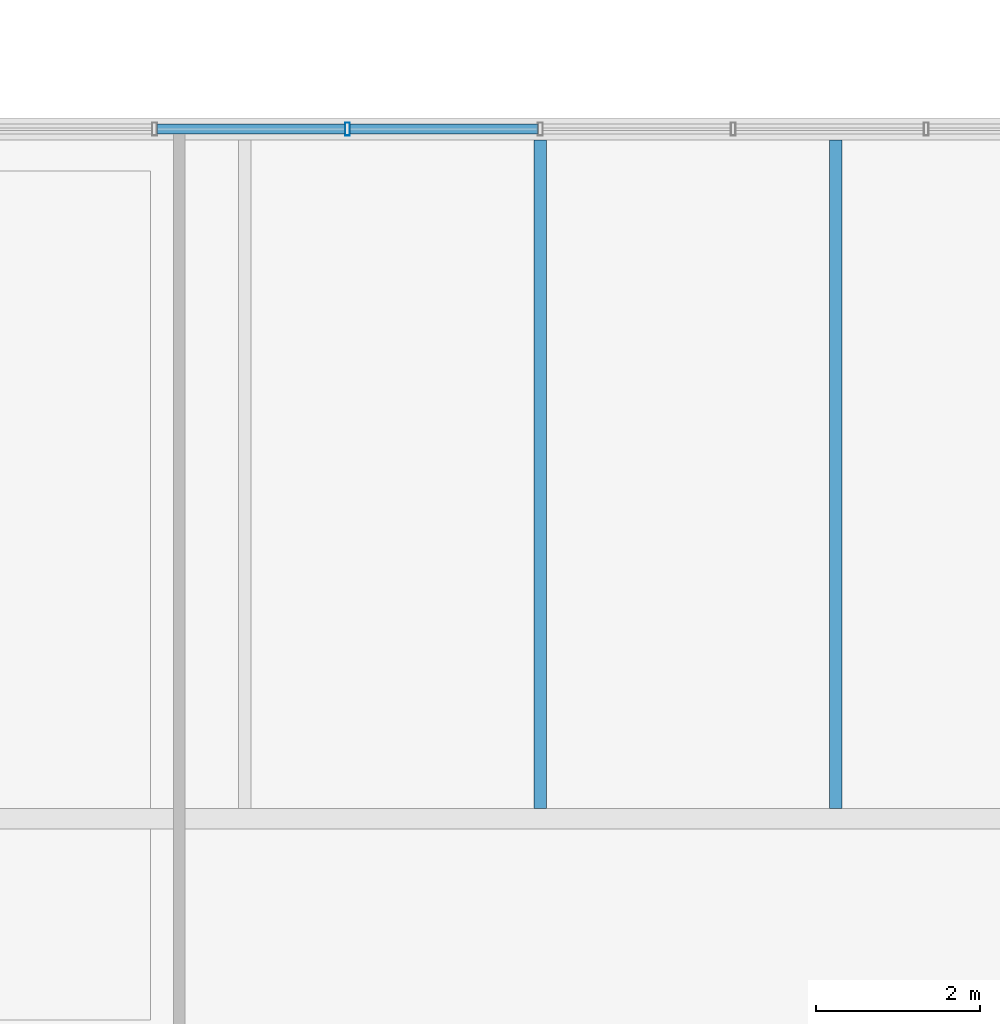
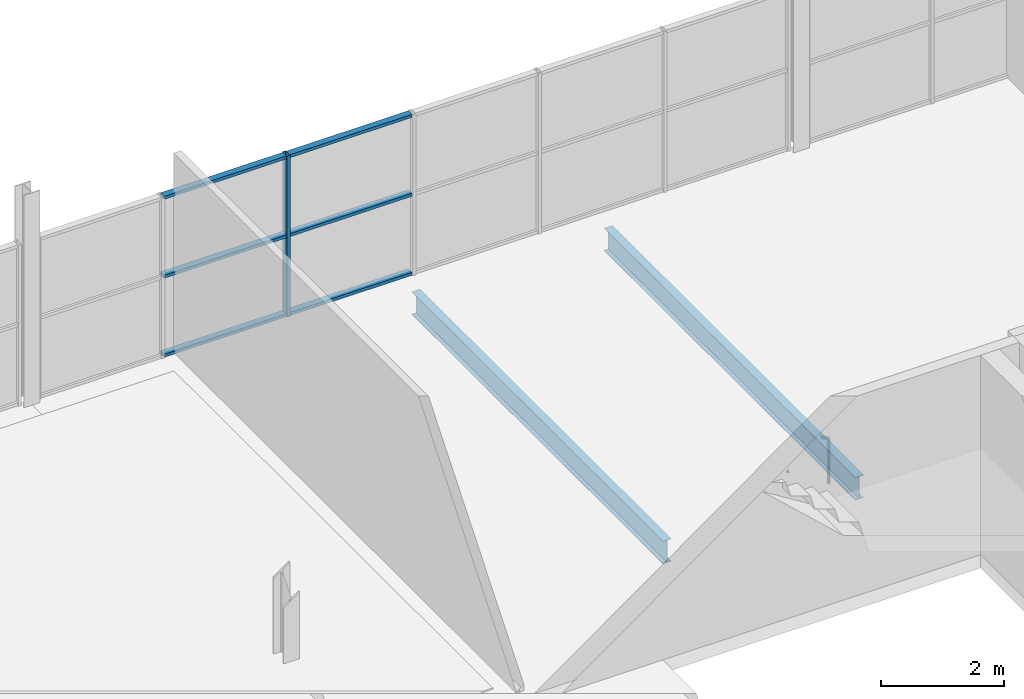
# One storey, part 52 of 93: 7 members, 2 beams, 1 element without a shape of its own.
"""IFC4 building model written with IfcOpenShell, lengths in metres."""

from ifc_helpers import new_model, si_unit, direction, frame, origin, origin_2d, place, context, subcontext, project, spatial, hollow_rectangle, i_section, extrude, material, material_profile, profile_set, type_object, element, aggregate, save


model = new_model("IFC4")

# Units and contexts
model_context = context("Model", 3, precision=1e-05, world=origin(), true_north=direction((0.0, 1.0)))
body_context = subcontext(model_context, "Body", "Model", "MODEL_VIEW")
ifc_project = project(units=[si_unit("LENGTHUNIT", "METRE"), si_unit("AREAUNIT", "SQUARE_METRE"), si_unit("VOLUMEUNIT", "CUBIC_METRE"), si_unit("PLANEANGLEUNIT", "RADIAN"), si_unit("MASSUNIT", "GRAM", prefix="KILO"), si_unit("THERMODYNAMICTEMPERATUREUNIT", "KELVIN")], contexts=[model_context])

# Site, building, storey
site_placement = place(None, origin())
site = spatial("IfcSite", under=ifc_project, at=site_placement, CompositionType="ELEMENT")
building_placement = place(site_placement, origin())
building = spatial("IfcBuilding", under=site, at=building_placement, Name="Nduvali Passage Aquatics Centre", CompositionType="ELEMENT")
storey_placement = place(building_placement, frame((0.0, 0.0, 9.0)))
storey = spatial("IfcBuildingStorey", under=building, at=storey_placement, Name="L02", CompositionType="ELEMENT", Elevation=9.0)

# Curtain wall, members
ifc_material_1 = material(Name="Aluminium EN AW-6063 T6", Category="aluminium")
curtain_wall_type = type_object("IfcCurtainWallType", Name="ENV-CW-WELL", PredefinedType="NOTDEFINED", material=ifc_material_1)
curtain_wall_placement = place(storey_placement, origin())
curtain_wall = element("IfcCurtainWall", 1, at=curtain_wall_placement, inside=storey, type_object=curtain_wall_type, Name="L02 North Avenue Clinic CW 104", PredefinedType="NOTDEFINED")
ifc_material_profile_1 = material_profile(ifc_material_1, hollow_rectangle(XDim=0.06005859375, YDim=0.159912109375, WallThickness=0.00390625, at=origin_2d()), Name="ALU MULLION 60x160x4")
ifc_profile_set_1 = profile_set([ifc_material_profile_1], Name="Aluminium EN AW-6063 T6")
member_type_1 = type_object("IfcMemberType", Name="ENV-MEM-MUL60", PredefinedType="MULLION", material=ifc_profile_set_1)
member_1_placement = place(storey_placement, frame((73.25, 117.60009765625, 0.0), z_axis=(0.0, 0.0, 1.0), x_axis=(1.0, 0.0, 0.0)))
member_1 = element("IfcMember", 2, at=member_1_placement, type_object=member_type_1, Name="North Avenue Clinic CW Mullion 3", PredefinedType="MULLION", context=body_context, shape_type="SweptSolid", body=[
    extrude(hollow_rectangle(XDim=0.06005859375, YDim=0.159912109375, WallThickness=0.00390625, at=origin_2d()), origin(), (0.0, 0.0, 1.0), 3.183837890625),
])
ifc_material_profile_2 = material_profile(ifc_material_1, hollow_rectangle(XDim=0.1201171875, YDim=0.06005859375, WallThickness=0.00390625, at=origin_2d()), Name="ALU TRANSOM 120x60x4")
ifc_profile_set_2 = profile_set([ifc_material_profile_2], Name="Aluminium EN AW-6063 T6")
member_type_2 = type_object("IfcMemberType", Name="ENV-MEM-TRN60", PredefinedType="USERDEFINED", material=ifc_profile_set_2)
member_2_placement = place(storey_placement, frame((70.929931640625, 117.60009765625, 0.030029296875), z_axis=(1.0, 0.0, 0.0), x_axis=(0.0, 1.0, 0.0)))
member_2 = element("IfcMember", 3, at=member_2_placement, type_object=member_type_2, Name="North Avenue Clinic CW Transom B2-R0", ObjectType="TRANSOM", PredefinedType="USERDEFINED", context=body_context, shape_type="SweptSolid", body=[
    extrude(hollow_rectangle(XDim=0.1201171875, YDim=0.06005859375, WallThickness=0.00390625, at=origin_2d()), origin(), (0.0, 0.0, 1.0), 2.2900390625),
])
member_3_placement = place(storey_placement, frame((70.929931640625, 117.60009765625, 1.591796875), z_axis=(1.0, 0.0, 0.0), x_axis=(0.0, 1.0, 0.0)))
member_3 = element("IfcMember", 4, at=member_3_placement, type_object=member_type_2, Name="North Avenue Clinic CW Transom B2-R1", ObjectType="TRANSOM", PredefinedType="USERDEFINED", context=body_context, shape_type="SweptSolid", body=[
    extrude(hollow_rectangle(XDim=0.1201171875, YDim=0.06005859375, WallThickness=0.00390625, at=origin_2d()), origin(), (0.0, 0.0, 1.0), 2.2900390625),
])
member_4_placement = place(storey_placement, frame((70.929931640625, 117.60009765625, 3.15380859375), z_axis=(1.0, 0.0, 0.0), x_axis=(0.0, 1.0, 0.0)))
member_4 = element("IfcMember", 5, at=member_4_placement, type_object=member_type_2, Name="North Avenue Clinic CW Transom B2-R2", ObjectType="TRANSOM", PredefinedType="USERDEFINED", context=body_context, shape_type="SweptSolid", body=[
    extrude(hollow_rectangle(XDim=0.1201171875, YDim=0.06005859375, WallThickness=0.00390625, at=origin_2d()), origin(), (0.0, 0.0, 1.0), 2.2900390625),
])
member_5_placement = place(storey_placement, frame((73.280029296875, 117.60009765625, 0.030029296875), z_axis=(1.0, 0.0, 0.0), x_axis=(0.0, 1.0, 0.0)))
member_5 = element("IfcMember", 6, at=member_5_placement, type_object=member_type_2, Name="North Avenue Clinic CW Transom B3-R0", ObjectType="TRANSOM", PredefinedType="USERDEFINED", context=body_context, shape_type="SweptSolid", body=[
    extrude(hollow_rectangle(XDim=0.1201171875, YDim=0.06005859375, WallThickness=0.00390625, at=origin_2d()), origin(), (0.0, 0.0, 1.0), 2.2900390625),
])
member_6_placement = place(storey_placement, frame((73.280029296875, 117.60009765625, 1.591796875), z_axis=(1.0, 0.0, 0.0), x_axis=(0.0, 1.0, 0.0)))
member_6 = element("IfcMember", 7, at=member_6_placement, type_object=member_type_2, Name="North Avenue Clinic CW Transom B3-R1", ObjectType="TRANSOM", PredefinedType="USERDEFINED", context=body_context, shape_type="SweptSolid", body=[
    extrude(hollow_rectangle(XDim=0.1201171875, YDim=0.06005859375, WallThickness=0.00390625, at=origin_2d()), origin(), (0.0, 0.0, 1.0), 2.2900390625),
])
member_7_placement = place(storey_placement, frame((73.280029296875, 117.60009765625, 3.15380859375), z_axis=(1.0, 0.0, 0.0), x_axis=(0.0, 1.0, 0.0)))
member_7 = element("IfcMember", 8, at=member_7_placement, type_object=member_type_2, Name="North Avenue Clinic CW Transom B3-R2", ObjectType="TRANSOM", PredefinedType="USERDEFINED", context=body_context, shape_type="SweptSolid", body=[
    extrude(hollow_rectangle(XDim=0.1201171875, YDim=0.06005859375, WallThickness=0.00390625, at=origin_2d()), origin(), (0.0, 0.0, 1.0), 2.2900390625),
])
aggregate(curtain_wall, [member_1, member_2, member_3, member_4, member_5, member_6, member_7])

# Beams
ifc_material_2 = material(Name="Steel S355", Category="steel")
ifc_material_profile_3 = material_profile(ifc_material_2, i_section(OverallWidth=0.15283203125, OverallDepth=0.45458984375, WebThickness=0.008056640625, FlangeThickness=0.01318359375, FilletRadius=0.01025390625, at=origin_2d()), Name="UKB 457x152x60")
ifc_profile_set_3 = profile_set([ifc_material_profile_3], Name="Steel S355")
beam_type = type_object("IfcBeamType", Name="STR-JST-UKB457L", PredefinedType="JOIST", material=ifc_profile_set_3)
for number, where, z_axis, x_axis, name in (
    (9, (75.60009765625, 109.326904296875, -0.4912109375), (0.0, 1.0, 0.0), (-1.0, 0.0, 0.0), "L02 Secondary Joist J1A-1190"),
    (10, (79.199951171875, 109.326904296875, -0.4912109375), (0.0, 1.0, 0.0), (-1.0, 0.0, 0.0), "L02 Secondary Joist J1A-1191"),
):
    element("IfcBeam", number, at=place(storey_placement, frame(where, z_axis=z_axis, x_axis=x_axis)), inside=storey, type_object=beam_type, Name=name, PredefinedType="JOIST", context=body_context, shape_type="SweptSolid", body=[
        extrude(i_section(OverallWidth=0.15283203125, OverallDepth=0.45458984375, WebThickness=0.008056640625, FlangeThickness=0.01318359375, FilletRadius=0.01025390625, at=origin_2d()), origin(), (0.0, 0.0, 1.0), 8.139892578125),
    ])

save(model, "model.ifc")
